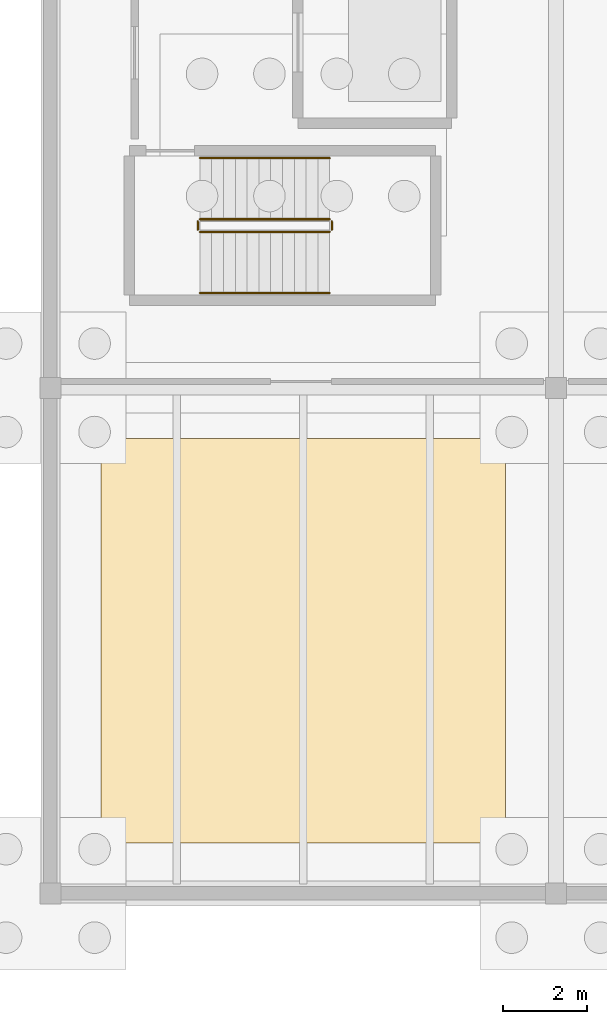
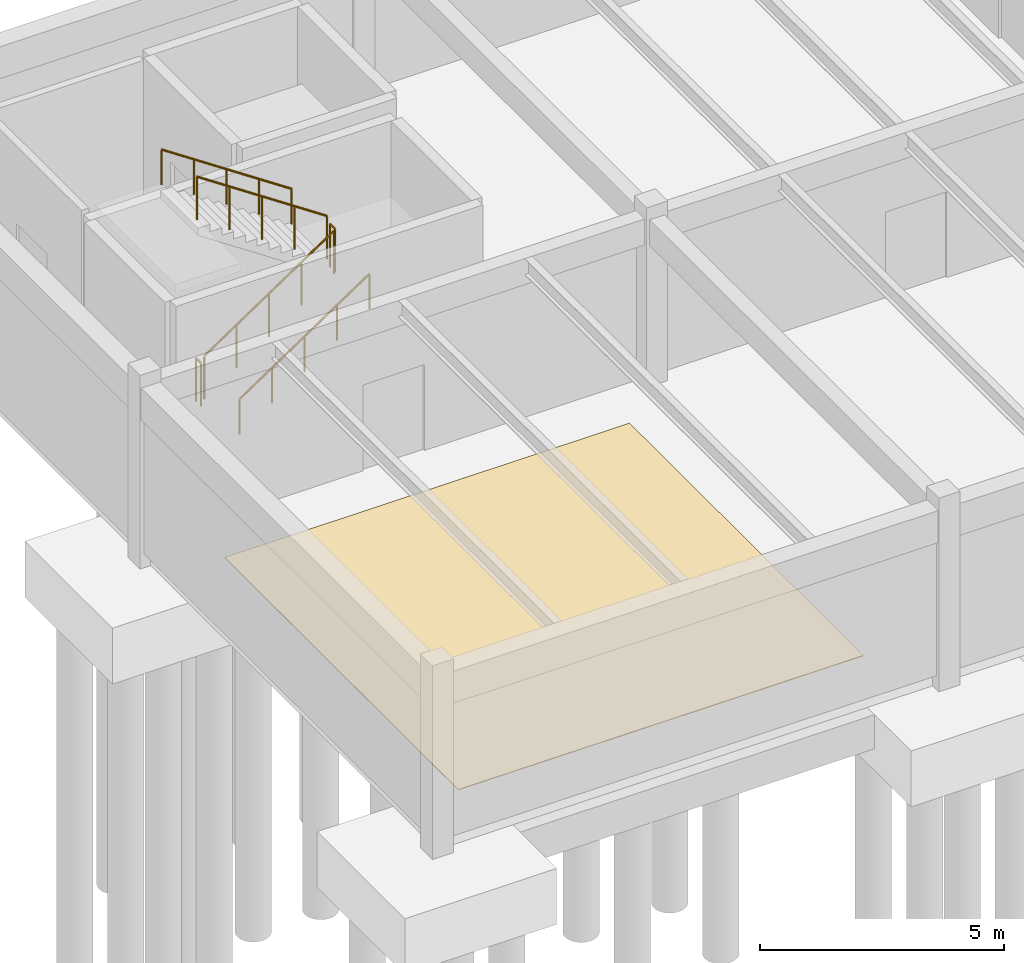
# One storey, part 16 of 20: 6 railings, 1 covering.
"""IFC4 building model written with IfcOpenShell, lengths in metres."""

import ifcopenshell
import ifcopenshell.guid

model = None  # the IFC model being written
_history = None  # IfcOwnerHistory: only IFC2X3 demands one
_inside = {}  # id of a spatial element -> (the spatial element, [elements in it])
_under = {}  # id of a project, library or spatial element -> (it, [spatial elements below it])
_declared = {}  # id of a project -> (the project, [libraries it declares])
_typed = {}  # id of a type object -> (the type object, [elements of that type])
_made_of = {}  # id of a material, layer set ... -> (it, [elements and type objects made of it])


def new_model(schema):
    """Start an empty IFC model of exactly this schema.

    Asked for "IFC4X3", IfcOpenShell would pick the latest addendum, in which some entities
    have other attributes; the version numbers below select the first issue.
    IFC2X3 requires an IfcOwnerHistory on every rooted entity: one is made here for all.
    """
    global model, _history
    if schema == "IFC4X3":
        model = ifcopenshell.file(schema_version=(4, 3, 0, 0))
    else:
        model = ifcopenshell.file(schema=schema)
    _inside.clear()
    _under.clear()
    _declared.clear()
    _typed.clear()
    _made_of.clear()
    _history = None
    if model.schema == "IFC2X3":
        org = make("IfcOrganization", Name="unknown")
        user = make(
            "IfcPersonAndOrganization",
            ThePerson=make("IfcPerson", FamilyName="unknown"),
            TheOrganization=org,
        )
        app = make(
            "IfcApplication",
            ApplicationDeveloper=org,
            Version="unknown",
            ApplicationFullName="unknown",
            ApplicationIdentifier="unknown",
        )
        _history = make(
            "IfcOwnerHistory",
            OwningUser=user,
            OwningApplication=app,
            ChangeAction="ADDED",
            CreationDate=0,
        )
    return model


def make(cls, **values):
    """One entity of the class cls with the attributes given. An attribute that is None is left unset."""
    return model.create_entity(
        cls, **{name: value for name, value in values.items() if value is not None}
    )


def rooted(cls, **values):
    """An entity with a GlobalId (a new one), such as an element, a storey or a relation."""
    return make(cls, GlobalId=ifcopenshell.guid.new(), OwnerHistory=_history, **values)


def si_unit(unit_type, name, prefix=None):
    """IfcSIUnit, for example si_unit("LENGTHUNIT", "METRE", prefix="MILLI")."""
    return make("IfcSIUnit", UnitType=unit_type, Prefix=prefix, Name=name)


def assignment(units):
    """IfcUnitAssignment: the units of a project."""
    return None if units is None else make("IfcUnitAssignment", Units=units)


def point(xyz):
    """IfcCartesianPoint."""
    return None if xyz is None else make("IfcCartesianPoint", Coordinates=xyz)


def direction(xyz):
    """IfcDirection."""
    return None if xyz is None else make("IfcDirection", DirectionRatios=xyz)


def frame(location, z_axis=None, x_axis=None):
    """IfcAxis2Placement3D, a coordinate frame: its origin and axes. An axis left out is left unset."""
    return make(
        "IfcAxis2Placement3D",
        Location=point(location),
        Axis=direction(z_axis),
        RefDirection=direction(x_axis),
    )


def frame_2d(location, x_axis=None):
    """IfcAxis2Placement2D, a coordinate frame in the plane: its origin and x axis."""
    return make(
        "IfcAxis2Placement2D", Location=point(location), RefDirection=direction(x_axis)
    )


def origin():
    """The frame at (0, 0, 0) with its axes left unset."""
    return frame((0.0, 0.0, 0.0))


def origin_2d():
    """The frame at (0, 0) in the plane with its x axis left unset."""
    return frame_2d((0.0, 0.0))


def place(relative_to, where):
    """IfcLocalPlacement: puts the frame where relative to a parent placement (None: the world)."""
    return make(
        "IfcLocalPlacement", PlacementRelTo=relative_to, RelativePlacement=where
    )


def context(
    kind, dimensions, precision=None, world=None, true_north=None, identifier=None
):
    """IfcGeometricRepresentationContext, for example the 3D "Model" context."""
    return make(
        "IfcGeometricRepresentationContext",
        ContextIdentifier=identifier,
        ContextType=kind,
        CoordinateSpaceDimension=dimensions,
        Precision=precision,
        WorldCoordinateSystem=world,
        TrueNorth=true_north,
    )


def subcontext(parent, identifier, kind, view, scale=None):
    """IfcGeometricRepresentationSubContext, for example "Body" below "Model"."""
    return make(
        "IfcGeometricRepresentationSubContext",
        ContextIdentifier=identifier,
        ContextType=kind,
        ParentContext=parent,
        TargetScale=scale,
        TargetView=view,
    )


def project(units=None, contexts=None):
    """IfcProject with its units and contexts."""
    return rooted(
        "IfcProject",
        Name="project",
        RepresentationContexts=contexts,
        UnitsInContext=assignment(units),
    )


def spatial(cls, under=None, at=None, **own):
    """A site, building, storey or space (cls), placed at a placement, below another one or the project."""
    s = rooted(cls, ObjectPlacement=at, **own)
    if under is not None:
        _under.setdefault(under.id(), (under, []))[1].append(s)
    return s


def polyline(points):
    """IfcPolyline through the points."""
    return make("IfcPolyline", Points=[point(p) for p in points])


def profile(cls, at=None, kind="AREA", **sizes):
    """A parametric profile (cls). Its sizes go by their IFC names, for example OverallWidth=200.0."""
    return make(cls, ProfileType=kind, Position=at, **sizes)


def circle(**sizes):
    """IfcCircleProfileDef."""
    return profile("IfcCircleProfileDef", **sizes)


def outline(outer, holes=None, kind="AREA"):
    """IfcArbitraryClosedProfileDef: a profile drawn as a closed curve; with holes, ...WithVoids."""
    if holes is None:
        return make("IfcArbitraryClosedProfileDef", ProfileType=kind, OuterCurve=outer)
    return make(
        "IfcArbitraryProfileDefWithVoids",
        ProfileType=kind,
        OuterCurve=outer,
        InnerCurves=holes,
    )


def extrude(swept, where, along, depth):
    """IfcExtrudedAreaSolid: the profile swept, set in the frame where, extruded along a direction by depth."""
    return make(
        "IfcExtrudedAreaSolid",
        SweptArea=swept,
        Position=where,
        ExtrudedDirection=direction(along),
        Depth=depth,
    )


def shape(context_of_items, identifier, shape_type, items):
    """IfcShapeRepresentation: the items that make up one representation, for example the "Body"."""
    return make(
        "IfcShapeRepresentation",
        ContextOfItems=context_of_items,
        RepresentationIdentifier=identifier,
        RepresentationType=shape_type,
        Items=items,
    )


def material(Name=None, Category=None):
    """IfcMaterial."""
    return make("IfcMaterial", Name=Name, Category=Category)


def layer(
    of_material, thickness, ventilated=None, Name=None, Category=None, Priority=None
):
    """IfcMaterialLayer: one layer of a wall or slab, of a material (None: an air gap)."""
    return make(
        "IfcMaterialLayer",
        Material=of_material,
        LayerThickness=thickness,
        IsVentilated=ventilated,
        Name=Name,
        Category=Category,
        Priority=Priority,
    )


def layer_set(layers, Name=None):
    """IfcMaterialLayerSet."""
    return make("IfcMaterialLayerSet", MaterialLayers=layers, LayerSetName=Name)


def made_of(thing, what):
    """Note that an element or type object is made of a material, layer set ...; save() writes the relation."""
    if what is not None:
        _made_of.setdefault(what.id(), (what, []))[1].append(thing)
    return thing


def type_object(cls, material=None, **own):
    """A type object (cls), such as IfcWallType, which elements share."""
    return made_of(rooted(cls, **own), material)


def element(
    cls,
    number,
    at=None,
    inside=None,
    cuts=None,
    type_object=None,
    material=None,
    context=None,
    identifier="Body",
    shape_type=None,
    held_by="IfcProductDefinitionShape",
    body=None,
    shapes=None,
    **own,
):
    """One element of the class cls, such as IfcWall. Its Tag is "e" and its number.

    at: its placement. inside: the storey or other place that contains it. cuts: it is an
    opening in that element (IfcRelVoidsElement). A single representation is given by context,
    identifier, shape_type and body (its items); several are given by shapes. held_by: the class
    of the entity that holds the representations. save() writes the other relations.
    """
    e = rooted(cls, Tag="e%d" % number, ObjectPlacement=at, **own)
    if body is not None:
        shapes = [shape(context, identifier, shape_type, body)]
    if shapes is not None:
        e.Representation = make(held_by, Representations=shapes)
    if inside is not None:
        _inside.setdefault(inside.id(), (inside, []))[1].append(e)
    if cuts is not None:
        rooted(
            "IfcRelVoidsElement", RelatingBuildingElement=cuts, RelatedOpeningElement=e
        )
    if type_object is not None:
        _typed.setdefault(type_object.id(), (type_object, []))[1].append(e)
    return made_of(e, material)


def aggregate(whole, parts):
    """IfcRelAggregates: a whole, such as a stair, and the parts it consists of."""
    return rooted("IfcRelAggregates", RelatingObject=whole, RelatedObjects=parts)


def save(model, path):
    """Write the relations noted so far, then the file.

    IfcRelAggregates (storeys below a building ...), IfcRelContainedInSpatialStructure (elements
    in a storey), IfcRelDefinesByType, IfcRelAssociatesMaterial and IfcRelDeclares: one each for
    every whole, place, type object, material and project.
    """
    for whole, parts in _under.values():
        aggregate(whole, parts)
    for where, things in _inside.values():
        rooted(
            "IfcRelContainedInSpatialStructure",
            RelatedElements=things,
            RelatingStructure=where,
        )
    for kind, things in _typed.values():
        rooted("IfcRelDefinesByType", RelatedObjects=things, RelatingType=kind)
    for what, things in _made_of.values():
        rooted("IfcRelAssociatesMaterial", RelatedObjects=things, RelatingMaterial=what)
    for by, libraries in _declared.values():
        rooted("IfcRelDeclares", RelatingContext=by, RelatedDefinitions=libraries)
    model.write(path)


model = new_model("IFC4")

# Units and contexts
model_context = context("Model", 3, precision=1e-05, world=origin(), true_north=direction((0.0, 1.0)))
body_context = subcontext(model_context, "Body", "Model", "MODEL_VIEW")
ifc_project = project(units=[si_unit("LENGTHUNIT", "METRE"), si_unit("AREAUNIT", "SQUARE_METRE"), si_unit("VOLUMEUNIT", "CUBIC_METRE"), si_unit("PLANEANGLEUNIT", "RADIAN"), si_unit("MASSUNIT", "GRAM", prefix="KILO")], contexts=[model_context])

# Site, building, storey
site_placement = place(None, origin())
site = spatial("IfcSite", under=ifc_project, at=site_placement, CompositionType="ELEMENT")
building_placement = place(site_placement, origin())
building = spatial("IfcBuilding", under=site, at=building_placement, Name="Pandanus Reach Market Hall", CompositionType="ELEMENT")
storey_placement = place(building_placement, frame((0.0, 0.0, -4.5)))
storey = spatial("IfcBuildingStorey", under=building, at=storey_placement, Name="B1", CompositionType="ELEMENT", Elevation=-4.5)

# Covering
ifc_material_1 = material(Name="Washable coved epoxy terrazzo flooring")
ifc_layer = layer(ifc_material_1, 0.014892578125, Name="FLR-EPX-15")
ifc_layer_set = layer_set([ifc_layer], Name="Washable coved epoxy terrazzo flooring")
covering_type = type_object("IfcCoveringType", Name="FLR-EPX-15", PredefinedType="FLOORING", material=ifc_layer_set)
covering_placement = place(storey_placement, origin())
element("IfcCovering", 1, at=covering_placement, inside=storey, type_object=covering_type, Name="Washable epoxy terrazzo flooring B1.1", PredefinedType="FLOORING", context=body_context, shape_type="SweptSolid", body=[
    extrude(outline(polyline([(61.199951171875, 97.199951171875), (70.800048828125, 97.199951171875), (70.800048828125, 106.800048828125), (61.199951171875, 106.800048828125), (61.199951171875, 97.199951171875)])), origin(), (0.0, 0.0, 1.0), 0.014892578125),
])

# Railings
ifc_material_2 = material(Name="Galvanised steel Grade 350 (350 MPa)", Category="steel")
railing_type_1 = type_object("IfcRailingType", Name="GR-INT-110", PredefinedType="GUARDRAIL", material=ifc_material_2)
railing_1_placement = place(storey_placement, frame((63.550048828125, 111.699951171875, 0.1875)))
element("IfcRailing", 2, at=railing_1_placement, inside=storey, type_object=railing_type_1, Name="Stair guard ST-05 B1.107", PredefinedType="GUARDRAIL", context=body_context, shape_type="SweptSolid", body=[
    extrude(circle(Radius=0.02392578125, at=origin_2d()), frame((0.0, 0.0, 1.076171875), z_axis=(0.830893310487, 0.0, 0.556431762742), x_axis=(0.0, 1.0, 0.0)), (0.0, 0.0, 1.0), 3.70654296875),
    extrude(circle(Radius=0.02099609375, at=origin_2d()), origin(), (0.0, 0.0, 1.0), 1.052001953125),
    extrude(circle(Radius=0.02099609375, at=origin_2d()), frame((0.77001953125, 0.0, 0.515625)), (0.0, 0.0, 1.0), 1.052001953125),
    extrude(circle(Radius=0.02099609375, at=origin_2d()), frame((1.5400390625, 0.0, 1.03125)), (0.0, 0.0, 1.0), 1.052001953125),
    extrude(circle(Radius=0.02099609375, at=origin_2d()), frame((2.309814453125, 0.0, 1.546875)), (0.0, 0.0, 1.0), 1.052001953125),
    extrude(circle(Radius=0.02099609375, at=origin_2d()), frame((3.079833984375, 0.0, 2.0625)), (0.0, 0.0, 1.0), 1.052001953125),
])
railing_2_placement = place(storey_placement, frame((66.679931640625, 111.75, 2.25)))
element("IfcRailing", 3, at=railing_2_placement, inside=storey, type_object=railing_type_1, Name="Stair guard ST-05 B1.108", PredefinedType="GUARDRAIL", context=body_context, shape_type="SweptSolid", body=[
    extrude(circle(Radius=0.02392578125, at=origin_2d()), frame((0.0, 0.0, 1.076171875), z_axis=(0.0, 1.0, 0.0), x_axis=(-1.0, 0.0, 0.0)), (0.0, 0.0, 1.0), 0.199951171875),
    extrude(circle(Radius=0.02099609375, at=origin_2d()), origin(), (0.0, 0.0, 1.0), 1.052001953125),
    extrude(circle(Radius=0.02099609375, at=origin_2d()), frame((0.0, 0.199951171875, 0.0)), (0.0, 0.0, 1.0), 1.052001953125),
])
railing_3_placement = place(storey_placement, frame((66.6298828125, 112.0, 2.4375)))
element("IfcRailing", 4, at=railing_3_placement, inside=storey, type_object=railing_type_1, Name="Stair guard ST-05 B1.109", PredefinedType="GUARDRAIL", context=body_context, shape_type="SweptSolid", body=[
    extrude(circle(Radius=0.02392578125, at=origin_2d()), frame((0.0, 0.0, 1.076171875), z_axis=(-0.830893310487, 0.0, 0.556431762742), x_axis=(0.0, -1.0, 0.0)), (0.0, 0.0, 1.0), 3.70654296875),
    extrude(circle(Radius=0.02099609375, at=origin_2d()), origin(), (0.0, 0.0, 1.0), 1.052001953125),
    extrude(circle(Radius=0.02099609375, at=origin_2d()), frame((-0.77001953125, 0.0, 0.515625)), (0.0, 0.0, 1.0), 1.052001953125),
    extrude(circle(Radius=0.02099609375, at=origin_2d()), frame((-1.5400390625, 0.0, 1.03125)), (0.0, 0.0, 1.0), 1.052001953125),
    extrude(circle(Radius=0.02099609375, at=origin_2d()), frame((-2.309814453125, 0.0, 1.546875)), (0.0, 0.0, 1.0), 1.052001953125),
    extrude(circle(Radius=0.02099609375, at=origin_2d()), frame((-3.079833984375, 0.0, 2.0625)), (0.0, 0.0, 1.0), 1.052001953125),
])
railing_4_placement = place(storey_placement, frame((63.5, 111.75, 0.0)))
element("IfcRailing", 5, at=railing_4_placement, inside=storey, type_object=railing_type_1, Name="Stair guard ST-05 B1.110", PredefinedType="GUARDRAIL", context=body_context, shape_type="SweptSolid", body=[
    extrude(circle(Radius=0.02392578125, at=origin_2d()), frame((0.0, 0.0, 1.076171875), z_axis=(0.0, 1.0, 0.0), x_axis=(-1.0, 0.0, 0.0)), (0.0, 0.0, 1.0), 0.199951171875),
    extrude(circle(Radius=0.02099609375, at=origin_2d()), origin(), (0.0, 0.0, 1.0), 1.052001953125),
    extrude(circle(Radius=0.02099609375, at=origin_2d()), frame((0.0, 0.199951171875, 0.0)), (0.0, 0.0, 1.0), 1.052001953125),
])
ifc_material_3 = material(Name="Brushed stainless steel", Category="steel")
railing_type_2 = type_object("IfcRailingType", Name="HR-WAL-090", PredefinedType="HANDRAIL", material=ifc_material_3)
railing_5_placement = place(storey_placement, frame((63.550048828125, 110.25, 0.1875)))
element("IfcRailing", 6, at=railing_5_placement, inside=storey, type_object=railing_type_2, Name="Stair handrail ST-05 B1.111", PredefinedType="HANDRAIL", context=body_context, shape_type="SweptSolid", body=[
    extrude(circle(Radius=0.02392578125, at=origin_2d()), frame((0.0, 0.0, 0.8759765625), z_axis=(0.830893310487, 0.0, 0.556431762742), x_axis=(0.0, 1.0, 0.0)), (0.0, 0.0, 1.0), 3.70654296875),
    extrude(circle(Radius=0.02099609375, at=origin_2d()), origin(), (0.0, 0.0, 1.0), 0.851806640625),
    extrude(circle(Radius=0.02099609375, at=origin_2d()), frame((0.77001953125, 0.0, 0.515625)), (0.0, 0.0, 1.0), 0.851806640625),
    extrude(circle(Radius=0.02099609375, at=origin_2d()), frame((1.5400390625, 0.0, 1.03125)), (0.0, 0.0, 1.0), 0.851806640625),
    extrude(circle(Radius=0.02099609375, at=origin_2d()), frame((2.309814453125, 0.0, 1.546875)), (0.0, 0.0, 1.0), 0.851806640625),
    extrude(circle(Radius=0.02099609375, at=origin_2d()), frame((3.079833984375, 0.0, 2.0625)), (0.0, 0.0, 1.0), 0.851806640625),
])
railing_6_placement = place(storey_placement, frame((66.6298828125, 113.449951171875, 2.4375)))
element("IfcRailing", 7, at=railing_6_placement, inside=storey, type_object=railing_type_2, Name="Stair handrail ST-05 B1.112", PredefinedType="HANDRAIL", context=body_context, shape_type="SweptSolid", body=[
    extrude(circle(Radius=0.02392578125, at=origin_2d()), frame((0.0, 0.0, 0.8759765625), z_axis=(-0.830893310487, 0.0, 0.556431762742), x_axis=(0.0, -1.0, 0.0)), (0.0, 0.0, 1.0), 3.70654296875),
    extrude(circle(Radius=0.02099609375, at=origin_2d()), origin(), (0.0, 0.0, 1.0), 0.851806640625),
    extrude(circle(Radius=0.02099609375, at=origin_2d()), frame((-0.77001953125, 0.0, 0.515625)), (0.0, 0.0, 1.0), 0.851806640625),
    extrude(circle(Radius=0.02099609375, at=origin_2d()), frame((-1.5400390625, 0.0, 1.03125)), (0.0, 0.0, 1.0), 0.851806640625),
    extrude(circle(Radius=0.02099609375, at=origin_2d()), frame((-2.309814453125, 0.0, 1.546875)), (0.0, 0.0, 1.0), 0.851806640625),
    extrude(circle(Radius=0.02099609375, at=origin_2d()), frame((-3.079833984375, 0.0, 2.0625)), (0.0, 0.0, 1.0), 0.851806640625),
])

save(model, "model.ifc")
